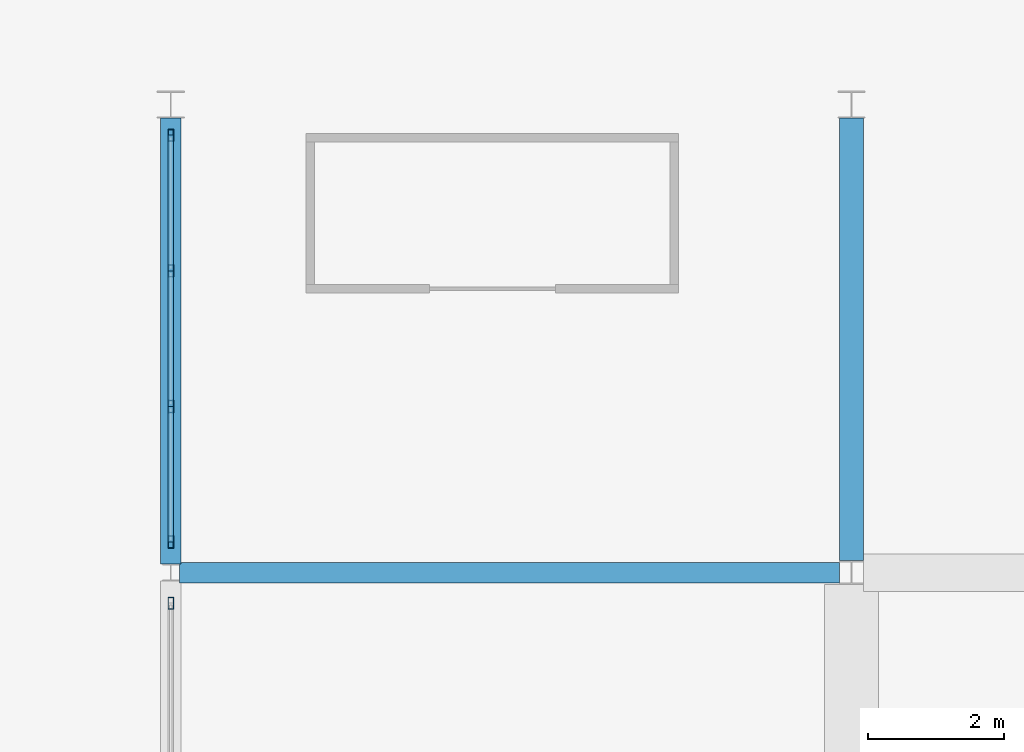
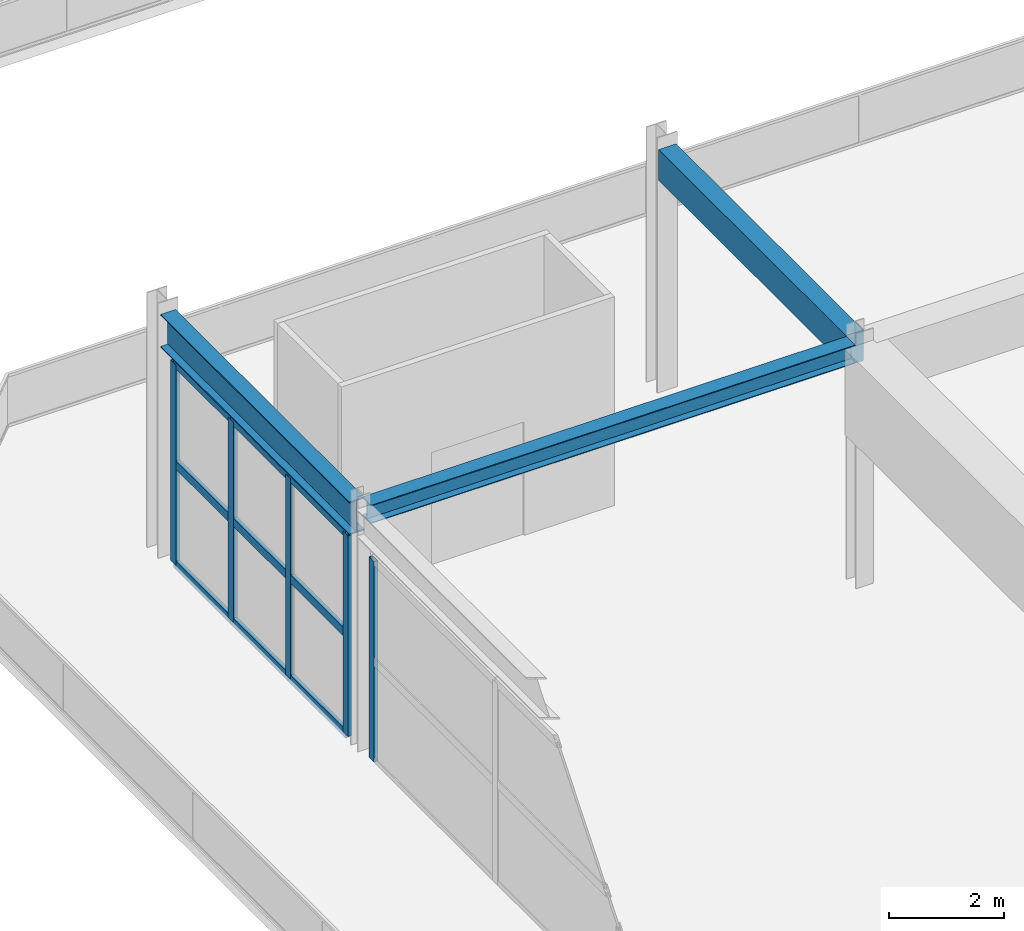
# One storey, part 25 of 117: 14 members, 3 beams, 2 elements without a shape of their own.
"""IFC4 building model written with IfcOpenShell, lengths in metres."""

from ifc_helpers import new_model, si_unit, direction, frame, origin, origin_2d, place, context, subcontext, project, spatial, rectangle, hollow_rectangle, i_section, extrude, material, material_profile, profile_set, type_object, element, aggregate, save


model = new_model("IFC4")

# Units and contexts
model_context = context("Model", 3, precision=1e-05, world=origin(), true_north=direction((0.0, 1.0)))
body_context = subcontext(model_context, "Body", "Model", "MODEL_VIEW")
ifc_project = project(units=[si_unit("LENGTHUNIT", "METRE"), si_unit("AREAUNIT", "SQUARE_METRE"), si_unit("VOLUMEUNIT", "CUBIC_METRE"), si_unit("PLANEANGLEUNIT", "RADIAN"), si_unit("MASSUNIT", "GRAM", prefix="KILO")], contexts=[model_context])

# Site, building, storey
site_placement = place(None, origin())
site = spatial("IfcSite", under=ifc_project, at=site_placement, CompositionType="ELEMENT")
building_placement = place(site_placement, origin())
building = spatial("IfcBuilding", under=site, at=building_placement, Name="Linyun Crest Stadium", CompositionType="ELEMENT")
storey_placement = place(building_placement, frame((0.0, 0.0, 6.0)))
storey = spatial("IfcBuildingStorey", under=building, at=storey_placement, Name="L02", CompositionType="ELEMENT", Elevation=6.0)

# Beams
ifc_material_1 = material(Name="Concrete C40", Category="concrete")
ifc_material_profile_1 = material_profile(ifc_material_1, rectangle(XDim=0.35009765625, YDim=0.64990234375, at=origin_2d()), Name="RCB 650x350")
ifc_profile_set_1 = profile_set([ifc_material_profile_1], Name="Concrete C40")
beam_type_1 = type_object("IfcBeamType", Name="B02", PredefinedType="BEAM", material=ifc_profile_set_1)
beam_1_placement = place(storey_placement, frame((-84.0, -73.324951171875, 4.824951171875), z_axis=(0.0, 1.0, 0.0), x_axis=(-1.0, 0.0, 0.0)))
element("IfcBeam", 1, at=beam_1_placement, inside=storey, type_object=beam_type_1, Name="Frame beam B02 L02 1103", PredefinedType="BEAM", context=body_context, shape_type="SweptSolid", body=[
    extrude(rectangle(XDim=0.35009765625, YDim=0.64990234375, at=origin_2d()), origin(), (0.0, 0.0, 1.0), 6.5),
])
ifc_material_2 = material(Name="Steel Q355C", Category="steel")
ifc_material_profile_2 = material_profile(ifc_material_2, i_section(OverallWidth=0.300048828125, OverallDepth=0.389892578125, WebThickness=0.010009765625, FlangeThickness=0.01611328125, at=origin_2d()), Name="HM 390x300")
ifc_profile_set_2 = profile_set([ifc_material_profile_2], Name="Steel Q355C")
beam_type_2 = type_object("IfcBeamType", Name="B06", PredefinedType="BEAM", material=ifc_profile_set_2)
beam_2_placement = place(storey_placement, frame((-93.875, -73.5, 4.955078125), z_axis=(1.0, 0.0, 0.0), x_axis=(0.0, 1.0, 0.0)))
element("IfcBeam", 2, at=beam_2_placement, inside=storey, type_object=beam_type_2, Name="Frame beam B06 L02 1093", PredefinedType="BEAM", context=body_context, shape_type="SweptSolid", body=[
    extrude(i_section(OverallWidth=0.300048828125, OverallDepth=0.389892578125, WebThickness=0.010009765625, FlangeThickness=0.01611328125, at=origin_2d()), origin(), (0.0, 0.0, 1.0), 9.699951171875),
])
ifc_material_3 = material(Name="Steel Q355C", Category="steel")
ifc_material_profile_3 = material_profile(ifc_material_3, i_section(OverallWidth=0.300048828125, OverallDepth=0.699951171875, WebThickness=0.012939453125, FlangeThickness=0.02392578125, at=origin_2d()), Name="HN 700x300")
ifc_profile_set_3 = profile_set([ifc_material_profile_3], Name="Steel Q355C")
beam_type_3 = type_object("IfcBeamType", Name="B12", PredefinedType="BEAM", material=ifc_profile_set_3)
beam_3_placement = place(storey_placement, frame((-94.0, -73.375, 4.800048828125), z_axis=(0.0, 1.0, 0.0), x_axis=(-1.0, 0.0, 0.0)))
element("IfcBeam", 3, at=beam_3_placement, inside=storey, type_object=beam_type_3, Name="Frame beam B12 L02 1100", PredefinedType="BEAM", context=body_context, shape_type="SweptSolid", body=[
    extrude(i_section(OverallWidth=0.300048828125, OverallDepth=0.699951171875, WebThickness=0.012939453125, FlangeThickness=0.02392578125, at=origin_2d()), origin(), (0.0, 0.0, 1.0), 6.550048828125),
])

# Curtain wall, member
ifc_material_4 = material(Name="Verdigris steel and low-E curtain wall assembly", Category="steel")
curtain_wall_type = type_object("IfcCurtainWallType", Name="MCW05", PredefinedType="NOTDEFINED", material=ifc_material_4)
curtain_wall_1_placement = place(storey_placement, origin())
curtain_wall_1 = element("IfcCurtainWall", 4, at=curtain_wall_1_placement, inside=storey, type_object=curtain_wall_type, Name="CWR-156", PredefinedType="NOTDEFINED")
ifc_material_5 = material(Name="Verdigris painted steel Q355B mullion", Category="steel")
ifc_material_profile_4 = material_profile(ifc_material_5, hollow_rectangle(XDim=0.080078125, YDim=0.179931640625, WallThickness=0.006103515625, at=origin_2d()), Name="RHS 180x80x6")
ifc_profile_set_4 = profile_set([ifc_material_profile_4], Name="Verdigris painted steel Q355B mullion")
member_type_1 = type_object("IfcMemberType", Name="ML02", PredefinedType="MULLION", material=ifc_profile_set_4)
member_1_placement = place(storey_placement, frame((-94.0, -73.949951171875, 0.0), z_axis=(0.0, 0.0, 1.0), x_axis=(-1.0, 0.0, 0.0)))
member_1 = element("IfcMember", 5, at=member_1_placement, type_object=member_type_1, Name="CWR-156 mullion 4", PredefinedType="MULLION", context=body_context, shape_type="SweptSolid", body=[
    extrude(hollow_rectangle(XDim=0.080078125, YDim=0.179931640625, WallThickness=0.006103515625, at=origin_2d()), origin(), (0.0, 0.0, 1.0), 4.25),
])
aggregate(curtain_wall_1, [member_1])

# Curtain wall, members
curtain_wall_2_placement = place(storey_placement, origin())
curtain_wall_2 = element("IfcCurtainWall", 6, at=curtain_wall_2_placement, inside=storey, type_object=curtain_wall_type, Name="CWR-157", PredefinedType="NOTDEFINED")
member_2_placement = place(storey_placement, frame((-94.0, -73.050048828125, 0.0), z_axis=(0.0, 0.0, 1.0), x_axis=(-1.0, 0.0, 0.0)))
member_2 = element("IfcMember", 7, at=member_2_placement, type_object=member_type_1, Name="CWR-157 mullion 1", PredefinedType="MULLION", context=body_context, shape_type="SweptSolid", body=[
    extrude(hollow_rectangle(XDim=0.080078125, YDim=0.179931640625, WallThickness=0.006103515625, at=origin_2d()), origin(), (0.0, 0.0, 1.0), 4.25),
])
member_3_placement = place(storey_placement, frame((-94.0, -71.05810546875, 0.0), z_axis=(0.0, 0.0, 1.0), x_axis=(-1.0, 0.0, 0.0)))
member_3 = element("IfcMember", 8, at=member_3_placement, type_object=member_type_1, Name="CWR-157 mullion 2", PredefinedType="MULLION", context=body_context, shape_type="SweptSolid", body=[
    extrude(hollow_rectangle(XDim=0.080078125, YDim=0.179931640625, WallThickness=0.006103515625, at=origin_2d()), origin(), (0.0, 0.0, 1.0), 4.25),
])
member_4_placement = place(storey_placement, frame((-94.0, -69.06689453125, 0.0), z_axis=(0.0, 0.0, 1.0), x_axis=(-1.0, 0.0, 0.0)))
member_4 = element("IfcMember", 9, at=member_4_placement, type_object=member_type_1, Name="CWR-157 mullion 3", PredefinedType="MULLION", context=body_context, shape_type="SweptSolid", body=[
    extrude(hollow_rectangle(XDim=0.080078125, YDim=0.179931640625, WallThickness=0.006103515625, at=origin_2d()), origin(), (0.0, 0.0, 1.0), 4.25),
])
member_5_placement = place(storey_placement, frame((-94.0, -67.074951171875, 0.0), z_axis=(0.0, 0.0, 1.0), x_axis=(-1.0, 0.0, 0.0)))
member_5 = element("IfcMember", 10, at=member_5_placement, type_object=member_type_1, Name="CWR-157 mullion 4", PredefinedType="MULLION", context=body_context, shape_type="SweptSolid", body=[
    extrude(hollow_rectangle(XDim=0.080078125, YDim=0.179931640625, WallThickness=0.006103515625, at=origin_2d()), origin(), (0.0, 0.0, 1.0), 4.25),
])
ifc_material_6 = material(Name="Verdigris painted steel Q355B transom", Category="steel")
ifc_material_profile_5 = material_profile(ifc_material_6, hollow_rectangle(XDim=0.080078125, YDim=0.179931640625, WallThickness=0.006103515625, at=origin_2d()), Name="RHS 180x80x6")
ifc_profile_set_5 = profile_set([ifc_material_profile_5], Name="Verdigris painted steel Q355B transom")
member_type_2 = type_object("IfcMemberType", Name="TR02", PredefinedType="USERDEFINED", material=ifc_profile_set_5)
member_6_placement = place(storey_placement, frame((-94.0, -73.050048828125, 0.0), z_axis=(0.0, 1.0, 0.0), x_axis=(-1.0, 0.0, 0.0)))
member_6 = element("IfcMember", 11, at=member_6_placement, type_object=member_type_2, Name="CWR-157 transom 1.1", ObjectType="TRANSOM", PredefinedType="USERDEFINED", context=body_context, shape_type="SweptSolid", body=[
    extrude(hollow_rectangle(XDim=0.080078125, YDim=0.179931640625, WallThickness=0.006103515625, at=origin_2d()), origin(), (0.0, 0.0, 1.0), 1.991943359375),
])
member_7_placement = place(storey_placement, frame((-94.0, -73.050048828125, 2.125), z_axis=(0.0, 1.0, 0.0), x_axis=(-1.0, 0.0, 0.0)))
member_7 = element("IfcMember", 12, at=member_7_placement, type_object=member_type_2, Name="CWR-157 transom 1.2", ObjectType="TRANSOM", PredefinedType="USERDEFINED", context=body_context, shape_type="SweptSolid", body=[
    extrude(hollow_rectangle(XDim=0.080078125, YDim=0.179931640625, WallThickness=0.006103515625, at=origin_2d()), origin(), (0.0, 0.0, 1.0), 1.991943359375),
])
member_8_placement = place(storey_placement, frame((-94.0, -73.050048828125, 4.25), z_axis=(0.0, 1.0, 0.0), x_axis=(-1.0, 0.0, 0.0)))
member_8 = element("IfcMember", 13, at=member_8_placement, type_object=member_type_2, Name="CWR-157 transom 1.3", ObjectType="TRANSOM", PredefinedType="USERDEFINED", context=body_context, shape_type="SweptSolid", body=[
    extrude(hollow_rectangle(XDim=0.080078125, YDim=0.179931640625, WallThickness=0.006103515625, at=origin_2d()), origin(), (0.0, 0.0, 1.0), 1.991943359375),
])
member_9_placement = place(storey_placement, frame((-94.0, -71.05810546875, 0.0), z_axis=(0.0, 1.0, 0.0), x_axis=(-1.0, 0.0, 0.0)))
member_9 = element("IfcMember", 14, at=member_9_placement, type_object=member_type_2, Name="CWR-157 transom 2.1", ObjectType="TRANSOM", PredefinedType="USERDEFINED", context=body_context, shape_type="SweptSolid", body=[
    extrude(hollow_rectangle(XDim=0.080078125, YDim=0.179931640625, WallThickness=0.006103515625, at=origin_2d()), origin(), (0.0, 0.0, 1.0), 1.9912109375),
])
member_10_placement = place(storey_placement, frame((-94.0, -71.05810546875, 2.125), z_axis=(0.0, 1.0, 0.0), x_axis=(-1.0, 0.0, 0.0)))
member_10 = element("IfcMember", 15, at=member_10_placement, type_object=member_type_2, Name="CWR-157 transom 2.2", ObjectType="TRANSOM", PredefinedType="USERDEFINED", context=body_context, shape_type="SweptSolid", body=[
    extrude(hollow_rectangle(XDim=0.080078125, YDim=0.179931640625, WallThickness=0.006103515625, at=origin_2d()), origin(), (0.0, 0.0, 1.0), 1.9912109375),
])
member_11_placement = place(storey_placement, frame((-94.0, -71.05810546875, 4.25), z_axis=(0.0, 1.0, 0.0), x_axis=(-1.0, 0.0, 0.0)))
member_11 = element("IfcMember", 16, at=member_11_placement, type_object=member_type_2, Name="CWR-157 transom 2.3", ObjectType="TRANSOM", PredefinedType="USERDEFINED", context=body_context, shape_type="SweptSolid", body=[
    extrude(hollow_rectangle(XDim=0.080078125, YDim=0.179931640625, WallThickness=0.006103515625, at=origin_2d()), origin(), (0.0, 0.0, 1.0), 1.9912109375),
])
member_12_placement = place(storey_placement, frame((-94.0, -69.06689453125, 0.0), z_axis=(0.0, 1.0, 0.0), x_axis=(-1.0, 0.0, 0.0)))
member_12 = element("IfcMember", 17, at=member_12_placement, type_object=member_type_2, Name="CWR-157 transom 3.1", ObjectType="TRANSOM", PredefinedType="USERDEFINED", context=body_context, shape_type="SweptSolid", body=[
    extrude(hollow_rectangle(XDim=0.080078125, YDim=0.179931640625, WallThickness=0.006103515625, at=origin_2d()), origin(), (0.0, 0.0, 1.0), 1.991943359375),
])
member_13_placement = place(storey_placement, frame((-94.0, -69.06689453125, 2.125), z_axis=(0.0, 1.0, 0.0), x_axis=(-1.0, 0.0, 0.0)))
member_13 = element("IfcMember", 18, at=member_13_placement, type_object=member_type_2, Name="CWR-157 transom 3.2", ObjectType="TRANSOM", PredefinedType="USERDEFINED", context=body_context, shape_type="SweptSolid", body=[
    extrude(hollow_rectangle(XDim=0.080078125, YDim=0.179931640625, WallThickness=0.006103515625, at=origin_2d()), origin(), (0.0, 0.0, 1.0), 1.991943359375),
])
member_14_placement = place(storey_placement, frame((-94.0, -69.06689453125, 4.25), z_axis=(0.0, 1.0, 0.0), x_axis=(-1.0, 0.0, 0.0)))
member_14 = element("IfcMember", 19, at=member_14_placement, type_object=member_type_2, Name="CWR-157 transom 3.3", ObjectType="TRANSOM", PredefinedType="USERDEFINED", context=body_context, shape_type="SweptSolid", body=[
    extrude(hollow_rectangle(XDim=0.080078125, YDim=0.179931640625, WallThickness=0.006103515625, at=origin_2d()), origin(), (0.0, 0.0, 1.0), 1.991943359375),
])
aggregate(curtain_wall_2, [member_2, member_3, member_4, member_5, member_6, member_7, member_8, member_9, member_10, member_11, member_12, member_13, member_14])

save(model, "model.ifc")
